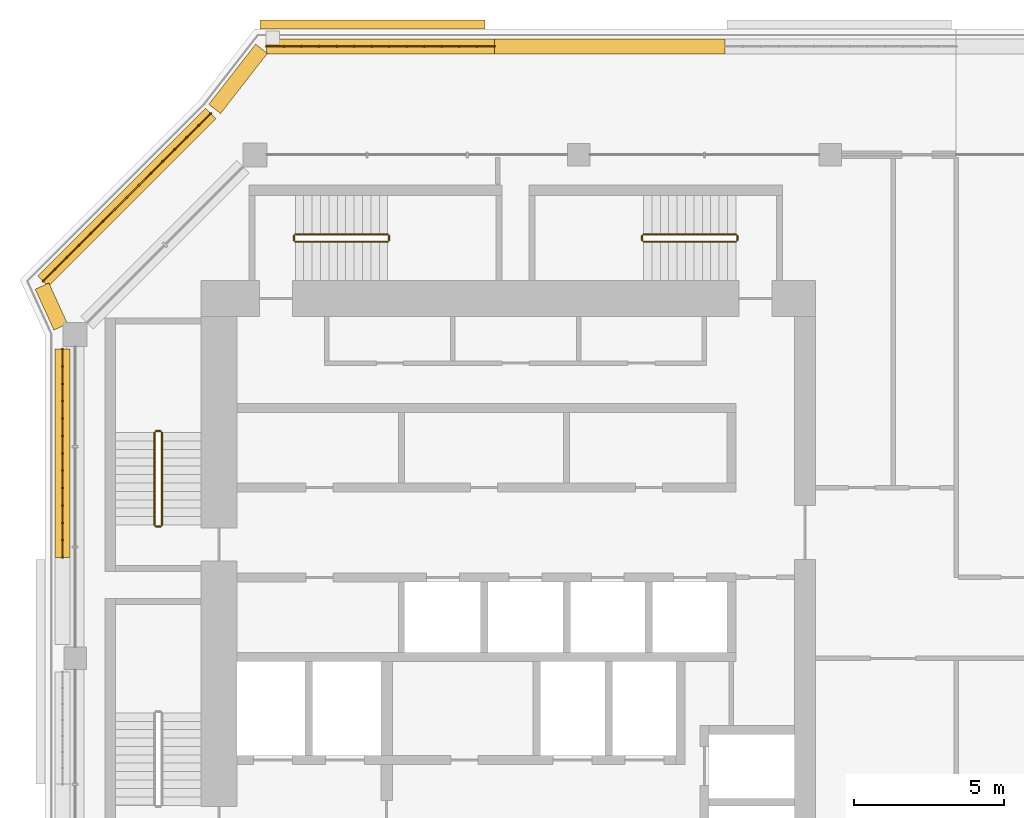
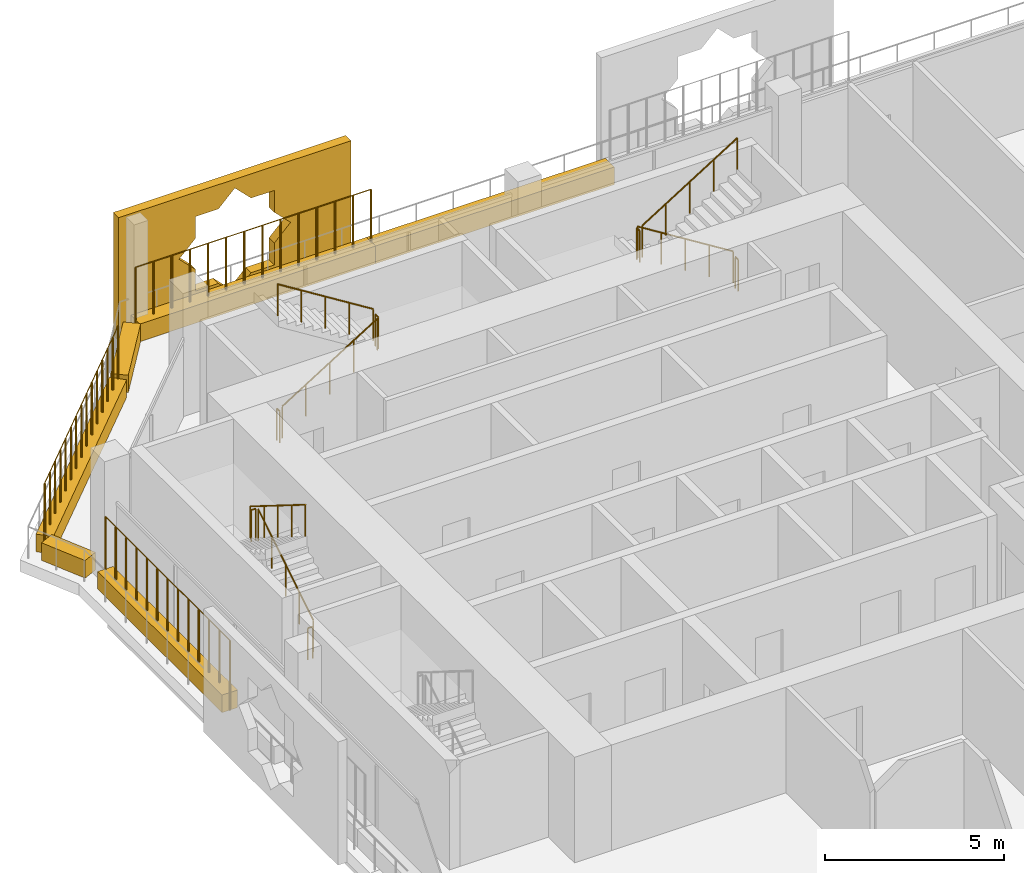
# One storey, part 20 of 22: 15 railings, 7 coverings.
"""IFC4 building model written with IfcOpenShell, lengths in metres."""

from ifc_helpers import new_model, si_unit, direction, frame, origin, origin_2d, place, context, subcontext, project, spatial, polyline, rectangle, circle, outline, extrude, material, material_profile, profile_set, type_object, element, save


model = new_model("IFC4")

# Units and contexts
model_context = context("Model", 3, precision=1e-05, world=origin(), true_north=direction((0.0, 1.0)))
body_context = subcontext(model_context, "Body", "Model", "MODEL_VIEW")
ifc_project = project(units=[si_unit("LENGTHUNIT", "METRE"), si_unit("AREAUNIT", "SQUARE_METRE"), si_unit("VOLUMEUNIT", "CUBIC_METRE"), si_unit("PLANEANGLEUNIT", "RADIAN"), si_unit("MASSUNIT", "GRAM", prefix="KILO")], contexts=[model_context])

# Site, building, storey
site_placement = place(None, origin())
site = spatial("IfcSite", under=ifc_project, at=site_placement, CompositionType="ELEMENT")
building_placement = place(site_placement, origin())
building = spatial("IfcBuilding", under=site, at=building_placement, Name="Kawkab Arch Medical Tower", CompositionType="ELEMENT")
storey_placement = place(building_placement, frame((0.0, 0.0, 294.39990234375)))
storey = spatial("IfcBuildingStorey", under=building, at=storey_placement, Name="L68", CompositionType="ELEMENT", Elevation=294.39990234375)

# Coverings
ifc_material_1 = material(Name="Bronze anodised aluminium mashrabiya panel, eight-point star pattern", Category="aluminium")
ifc_material_profile_1 = material_profile(ifc_material_1, outline(polyline([(-3.75, -2.10009765625), (3.75, -2.10009765625), (3.75, 2.10009765625), (-3.75, 2.10009765625), (-3.75, -2.10009765625)]), holes=[polyline([(1.800048828125, 0.0), (1.272705078125, 0.527099609375), (1.272705078125, 1.272705078125), (0.527099609375, 1.272705078125), (0.0, 1.800048828125), (-0.527099609375, 1.272705078125), (-1.272705078125, 1.272705078125), (-1.272705078125, 0.527099609375), (-1.800048828125, 0.0), (-1.272705078125, -0.527099609375), (-1.272705078125, -1.272705078125), (-0.527099609375, -1.272705078125), (0.0, -1.800048828125), (0.527099609375, -1.272705078125), (1.272705078125, -1.272705078125), (1.272705078125, -0.527099609375), (1.800048828125, 0.0)])]), Name="Mashrabiya panel 7500x4200")
ifc_profile_set_1 = profile_set([ifc_material_profile_1], Name="Bronze anodised aluminium mashrabiya panel, eight-point star pattern")
covering_type_1 = type_object("IfcCoveringType", Name="Mashrabiya panel 7500 x 4200", PredefinedType="USERDEFINED", material=ifc_profile_set_1)
covering_1_placement = place(storey_placement, frame((9.924072265625, 4.199951171875, 1.7001953125), z_axis=(0.0, 1.0, 0.0), x_axis=(-1.0, 0.0, 0.0)))
element("IfcCovering", 1, at=covering_1_placement, inside=storey, type_object=covering_type_1, Name="Mashrabiya panel L68.LOG-01-01.3", ObjectType="SCREEN", PredefinedType="USERDEFINED", context=body_context, shape_type="SweptSolid", body=[
    extrude(outline(polyline([(-3.75, -2.10009765625), (3.75, -2.10009765625), (3.75, 2.10009765625), (-3.75, 2.10009765625), (-3.75, -2.10009765625)]), holes=[polyline([(1.800048828125, 0.0), (1.272705078125, 0.527099609375), (1.272705078125, 1.272705078125), (0.527099609375, 1.272705078125), (0.0, 1.800048828125), (-0.527099609375, 1.272705078125), (-1.272705078125, 1.272705078125), (-1.272705078125, 0.527099609375), (-1.800048828125, 0.0), (-1.272705078125, -0.527099609375), (-1.272705078125, -1.272705078125), (-0.527099609375, -1.272705078125), (0.0, -1.800048828125), (0.527099609375, -1.272705078125), (1.272705078125, -1.272705078125), (1.272705078125, -0.527099609375), (1.800048828125, 0.0)])]), origin(), (0.0, 0.0, 1.0), 0.300048828125),
])
ifc_material_2 = material(Name="Planting soil in a precast trough", Category="concrete")
ifc_material_profile_2 = material_profile(ifc_material_2, rectangle(XDim=0.5, YDim=0.60009765625, at=origin_2d()), Name="Trough 500x600")
ifc_profile_set_2 = profile_set([ifc_material_profile_2], Name="Planting soil in a precast trough")
covering_type_2 = type_object("IfcCoveringType", Name="Planter trough 500 x 600", PredefinedType="USERDEFINED", material=ifc_profile_set_2)
covering_2_placement = place(storey_placement, frame((-0.419921875, -13.43701171875, 0.300048828125), z_axis=(0.0, 1.0, 0.0), x_axis=(-1.0, 0.0, 0.0)))
element("IfcCovering", 2, at=covering_2_placement, inside=storey, type_object=covering_type_2, Name="Planter L68.LOG-01-01.9", ObjectType="PLANTER", PredefinedType="USERDEFINED", context=body_context, shape_type="SweptSolid", body=[
    extrude(rectangle(XDim=0.5, YDim=0.60009765625, at=origin_2d()), origin(), (0.0, 0.0, 1.0), 6.95703125),
])
covering_3_placement = place(storey_placement, frame((-0.47998046875, -5.741943359375, 0.300048828125), z_axis=(-0.415189748133, 0.909734836667, 0.0), x_axis=(-0.909734836667, -0.415189748133, 0.0)))
element("IfcCovering", 3, at=covering_3_placement, inside=storey, type_object=covering_type_2, Name="Planter L68.LOG-01-01.10", ObjectType="PLANTER", PredefinedType="USERDEFINED", context=body_context, shape_type="SweptSolid", body=[
    extrude(rectangle(XDim=0.5, YDim=0.60009765625, at=origin_2d()), origin(), (0.0, 0.0, 1.0), 1.498291015625),
])
covering_4_placement = place(storey_placement, frame((-1.072998046875, -4.217041015625, 0.300048828125), z_axis=(0.707106781187, 0.707106781187, 0.0), x_axis=(-0.707106781187, 0.707106781187, 0.0)))
element("IfcCovering", 4, at=covering_4_placement, inside=storey, type_object=covering_type_2, Name="Planter L68.LOG-01-01.11", ObjectType="PLANTER", PredefinedType="USERDEFINED", context=body_context, shape_type="SweptSolid", body=[
    extrude(rectangle(XDim=0.5, YDim=0.60009765625, at=origin_2d()), origin(), (0.0, 0.0, 1.0), 7.919677734375),
])
covering_5_placement = place(storey_placement, frame((4.658935546875, 1.531982421875, 0.300048828125), z_axis=(0.61404021143, 0.789274742246, 0.0), x_axis=(-0.789274742246, 0.61404021143, 0.0)))
element("IfcCovering", 5, at=covering_5_placement, inside=storey, type_object=covering_type_2, Name="Planter L68.LOG-01-01.12", ObjectType="PLANTER", PredefinedType="USERDEFINED", context=body_context, shape_type="SweptSolid", body=[
    extrude(rectangle(XDim=0.5, YDim=0.60009765625, at=origin_2d()), origin(), (0.0, 0.0, 1.0), 2.54541015625),
])
covering_6_placement = place(storey_placement, frame((6.384033203125, 3.6201171875, 0.300048828125), z_axis=(1.0, 0.0, 0.0), x_axis=(0.0, 1.0, 0.0)))
element("IfcCovering", 6, at=covering_6_placement, inside=storey, type_object=covering_type_2, Name="Planter L68.LOG-01-01.13", ObjectType="PLANTER", PredefinedType="USERDEFINED", context=body_context, shape_type="SweptSolid", body=[
    extrude(rectangle(XDim=0.5, YDim=0.60009765625, at=origin_2d()), origin(), (0.0, 0.0, 1.0), 7.60498046875),
])
covering_7_placement = place(storey_placement, frame((13.989013671875, 3.6201171875, 0.300048828125), z_axis=(1.0, 0.0, 0.0), x_axis=(0.0, 1.0, 0.0)))
element("IfcCovering", 7, at=covering_7_placement, inside=storey, type_object=covering_type_2, Name="Planter L68.LOG-01-01.14", ObjectType="PLANTER", PredefinedType="USERDEFINED", context=body_context, shape_type="SweptSolid", body=[
    extrude(rectangle(XDim=0.5, YDim=0.60009765625, at=origin_2d()), origin(), (0.0, 0.0, 1.0), 7.7060546875),
])

# Railings
ifc_material_3 = material(Name="Bronze anodised aluminium trellis for climbing plants", Category="aluminium")
railing_type_1 = type_object("IfcRailingType", Name="Planting trellis 2400", PredefinedType="USERDEFINED", material=ifc_material_3)
railing_1_placement = place(storey_placement, frame((-0.419921875, -13.43701171875, 0.0)))
element("IfcRailing", 8, at=railing_1_placement, inside=storey, type_object=railing_type_1, Name="Planting trellis L68.LOG-01-01.9", ObjectType="TRELLIS", PredefinedType="USERDEFINED", context=body_context, shape_type="SweptSolid", body=[
    extrude(circle(Radius=0.01513671875, at=origin_2d()), frame((0.0, 0.0, 2.384765625), z_axis=(0.0, 1.0, 0.0), x_axis=(-1.0, 0.0, 0.0)), (0.0, 0.0, 1.0), 6.95703125),
    extrude(circle(Radius=0.030029296875, at=origin_2d()), origin(), (0.0, 0.0, 1.0), 2.369873046875),
    extrude(circle(Radius=0.030029296875, at=origin_2d()), frame((0.0, 0.579833984375, 0.0)), (0.0, 0.0, 1.0), 2.369873046875),
    extrude(circle(Radius=0.030029296875, at=origin_2d()), frame((0.0, 1.159423828125, 0.0)), (0.0, 0.0, 1.0), 2.369873046875),
    extrude(circle(Radius=0.030029296875, at=origin_2d()), frame((0.0, 1.7392578125, 0.0)), (0.0, 0.0, 1.0), 2.369873046875),
    extrude(circle(Radius=0.030029296875, at=origin_2d()), frame((0.0, 2.319091796875, 0.0)), (0.0, 0.0, 1.0), 2.369873046875),
    extrude(circle(Radius=0.030029296875, at=origin_2d()), frame((0.0, 2.898681640625, 0.0)), (0.0, 0.0, 1.0), 2.369873046875),
    extrude(circle(Radius=0.030029296875, at=origin_2d()), frame((0.0, 3.478515625, 0.0)), (0.0, 0.0, 1.0), 2.369873046875),
    extrude(circle(Radius=0.030029296875, at=origin_2d()), frame((0.0, 4.058349609375, 0.0)), (0.0, 0.0, 1.0), 2.369873046875),
    extrude(circle(Radius=0.030029296875, at=origin_2d()), frame((0.0, 4.637939453125, 0.0)), (0.0, 0.0, 1.0), 2.369873046875),
    extrude(circle(Radius=0.030029296875, at=origin_2d()), frame((0.0, 5.2177734375, 0.0)), (0.0, 0.0, 1.0), 2.369873046875),
    extrude(circle(Radius=0.030029296875, at=origin_2d()), frame((0.0, 5.797607421875, 0.0)), (0.0, 0.0, 1.0), 2.369873046875),
    extrude(circle(Radius=0.030029296875, at=origin_2d()), frame((0.0, 6.377197265625, 0.0)), (0.0, 0.0, 1.0), 2.369873046875),
    extrude(circle(Radius=0.030029296875, at=origin_2d()), frame((0.0, 6.95703125, 0.0)), (0.0, 0.0, 1.0), 2.369873046875),
])
railing_2_placement = place(storey_placement, frame((-1.072998046875, -4.217041015625, 0.0)))
element("IfcRailing", 9, at=railing_2_placement, inside=storey, type_object=railing_type_1, Name="Planting trellis L68.LOG-01-01.11", ObjectType="TRELLIS", PredefinedType="USERDEFINED", context=body_context, shape_type="SweptSolid", body=[
    extrude(circle(Radius=0.01513671875, at=origin_2d()), frame((0.0, 0.0, 2.384765625), z_axis=(0.707106781187, 0.707106781187, 0.0), x_axis=(-0.707106781187, 0.707106781187, 0.0)), (0.0, 0.0, 1.0), 7.919677734375),
    extrude(circle(Radius=0.030029296875, at=origin_2d()), origin(), (0.0, 0.0, 1.0), 2.369873046875),
    extrude(circle(Radius=0.030029296875, at=origin_2d()), frame((0.39990234375, 0.39990234375, 0.0)), (0.0, 0.0, 1.0), 2.369873046875),
    extrude(circle(Radius=0.030029296875, at=origin_2d()), frame((0.800048828125, 0.800048828125, 0.0)), (0.0, 0.0, 1.0), 2.369873046875),
    extrude(circle(Radius=0.030029296875, at=origin_2d()), frame((1.199951171875, 1.199951171875, 0.0)), (0.0, 0.0, 1.0), 2.369873046875),
    extrude(circle(Radius=0.030029296875, at=origin_2d()), frame((1.60009765625, 1.60009765625, 0.0)), (0.0, 0.0, 1.0), 2.369873046875),
    extrude(circle(Radius=0.030029296875, at=origin_2d()), frame((2.0, 2.0, 0.0)), (0.0, 0.0, 1.0), 2.369873046875),
    extrude(circle(Radius=0.030029296875, at=origin_2d()), frame((2.400146484375, 2.400146484375, 0.0)), (0.0, 0.0, 1.0), 2.369873046875),
    extrude(circle(Radius=0.030029296875, at=origin_2d()), frame((2.800048828125, 2.800048828125, 0.0)), (0.0, 0.0, 1.0), 2.369873046875),
    extrude(circle(Radius=0.030029296875, at=origin_2d()), frame((3.199951171875, 3.199951171875, 0.0)), (0.0, 0.0, 1.0), 2.369873046875),
    extrude(circle(Radius=0.030029296875, at=origin_2d()), frame((3.60009765625, 3.60009765625, 0.0)), (0.0, 0.0, 1.0), 2.369873046875),
    extrude(circle(Radius=0.030029296875, at=origin_2d()), frame((4.0, 4.0, 0.0)), (0.0, 0.0, 1.0), 2.369873046875),
    extrude(circle(Radius=0.030029296875, at=origin_2d()), frame((4.400146484375, 4.400146484375, 0.0)), (0.0, 0.0, 1.0), 2.369873046875),
    extrude(circle(Radius=0.030029296875, at=origin_2d()), frame((4.800048828125, 4.800048828125, 0.0)), (0.0, 0.0, 1.0), 2.369873046875),
    extrude(circle(Radius=0.030029296875, at=origin_2d()), frame((5.2001953125, 5.2001953125, 0.0)), (0.0, 0.0, 1.0), 2.369873046875),
    extrude(circle(Radius=0.030029296875, at=origin_2d()), frame((5.60009765625, 5.60009765625, 0.0)), (0.0, 0.0, 1.0), 2.369873046875),
])
railing_3_placement = place(storey_placement, frame((6.384033203125, 3.6201171875, 0.0)))
element("IfcRailing", 10, at=railing_3_placement, inside=storey, type_object=railing_type_1, Name="Planting trellis L68.LOG-01-01.13", ObjectType="TRELLIS", PredefinedType="USERDEFINED", context=body_context, shape_type="SweptSolid", body=[
    extrude(circle(Radius=0.01513671875, at=origin_2d()), frame((0.0, 0.0, 2.384765625), z_axis=(1.0, 0.0, 0.0), x_axis=(0.0, 1.0, 0.0)), (0.0, 0.0, 1.0), 7.60498046875),
    extrude(circle(Radius=0.030029296875, at=origin_2d()), origin(), (0.0, 0.0, 1.0), 2.369873046875),
    extrude(circle(Radius=0.030029296875, at=origin_2d()), frame((0.5849609375, 0.0, 0.0)), (0.0, 0.0, 1.0), 2.369873046875),
    extrude(circle(Radius=0.030029296875, at=origin_2d()), frame((1.169921875, 0.0, 0.0)), (0.0, 0.0, 1.0), 2.369873046875),
    extrude(circle(Radius=0.030029296875, at=origin_2d()), frame((1.7548828125, 0.0, 0.0)), (0.0, 0.0, 1.0), 2.369873046875),
    extrude(circle(Radius=0.030029296875, at=origin_2d()), frame((2.340087890625, 0.0, 0.0)), (0.0, 0.0, 1.0), 2.369873046875),
    extrude(circle(Radius=0.030029296875, at=origin_2d()), frame((2.925048828125, 0.0, 0.0)), (0.0, 0.0, 1.0), 2.369873046875),
    extrude(circle(Radius=0.030029296875, at=origin_2d()), frame((3.510009765625, 0.0, 0.0)), (0.0, 0.0, 1.0), 2.369873046875),
    extrude(circle(Radius=0.030029296875, at=origin_2d()), frame((4.094970703125, 0.0, 0.0)), (0.0, 0.0, 1.0), 2.369873046875),
    extrude(circle(Radius=0.030029296875, at=origin_2d()), frame((4.679931640625, 0.0, 0.0)), (0.0, 0.0, 1.0), 2.369873046875),
    extrude(circle(Radius=0.030029296875, at=origin_2d()), frame((5.264892578125, 0.0, 0.0)), (0.0, 0.0, 1.0), 2.369873046875),
    extrude(circle(Radius=0.030029296875, at=origin_2d()), frame((5.85009765625, 0.0, 0.0)), (0.0, 0.0, 1.0), 2.369873046875),
    extrude(circle(Radius=0.030029296875, at=origin_2d()), frame((6.43505859375, 0.0, 0.0)), (0.0, 0.0, 1.0), 2.369873046875),
    extrude(circle(Radius=0.030029296875, at=origin_2d()), frame((7.02001953125, 0.0, 0.0)), (0.0, 0.0, 1.0), 2.369873046875),
    extrude(circle(Radius=0.030029296875, at=origin_2d()), frame((7.60498046875, 0.0, 0.0)), (0.0, 0.0, 1.0), 2.369873046875),
])
ifc_material_4 = material(Name="Stainless steel", Category="steel")
railing_type_2 = type_object("IfcRailingType", Name="Stair guard 1100", PredefinedType="GUARDRAIL", material=ifc_material_4)
railing_4_placement = place(storey_placement, frame((2.89990234375, -12.35009765625, 0.175048828125)))
element("IfcRailing", 11, at=railing_4_placement, inside=storey, type_object=railing_type_2, Name="L68 ST1 stair guard 1", PredefinedType="GUARDRAIL", context=body_context, shape_type="SweptSolid", body=[
    extrude(circle(Radius=0.02392578125, at=origin_2d()), frame((0.0, 0.0, 1.076171875), z_axis=(0.0, 0.847998304005, 0.529998940003), x_axis=(-1.0, 0.0, 0.0)), (0.0, 0.0, 1.0), 3.632080078125),
    extrude(circle(Radius=0.02099609375, at=origin_2d()), origin(), (0.0, 0.0, 1.0), 1.052001953125),
    extrude(circle(Radius=0.02099609375, at=origin_2d()), frame((0.0, 0.77001953125, 0.481201171875)), (0.0, 0.0, 1.0), 1.052001953125),
    extrude(circle(Radius=0.02099609375, at=origin_2d()), frame((0.0, 1.5400390625, 0.96240234375)), (0.0, 0.0, 1.0), 1.052001953125),
    extrude(circle(Radius=0.02099609375, at=origin_2d()), frame((0.0, 2.31005859375, 1.44384765625)), (0.0, 0.0, 1.0), 1.052001953125),
    extrude(circle(Radius=0.02099609375, at=origin_2d()), frame((0.0, 3.080078125, 1.925048828125)), (0.0, 0.0, 1.0), 1.052001953125),
])
railing_5_placement = place(storey_placement, frame((2.85009765625, -9.219970703125, 2.10009765625)))
element("IfcRailing", 12, at=railing_5_placement, inside=storey, type_object=railing_type_2, Name="L68 ST1 stair guard 2", PredefinedType="GUARDRAIL", context=body_context, shape_type="SweptSolid", body=[
    extrude(circle(Radius=0.02392578125, at=origin_2d()), frame((0.0, 0.0, 1.076171875), z_axis=(-1.0, 0.0, 0.0), x_axis=(0.0, -1.0, 0.0)), (0.0, 0.0, 1.0), 0.150146484375),
    extrude(circle(Radius=0.02099609375, at=origin_2d()), origin(), (0.0, 0.0, 1.0), 1.052001953125),
    extrude(circle(Radius=0.02099609375, at=origin_2d()), frame((-0.150146484375, 0.0, 0.0)), (0.0, 0.0, 1.0), 1.052001953125),
])
railing_6_placement = place(storey_placement, frame((2.64990234375, -9.27001953125, 2.275146484375)))
element("IfcRailing", 13, at=railing_6_placement, inside=storey, type_object=railing_type_2, Name="L68 ST1 stair guard 3", PredefinedType="GUARDRAIL", context=body_context, shape_type="SweptSolid", body=[
    extrude(circle(Radius=0.02392578125, at=origin_2d()), frame((0.0, 0.0, 1.076171875), z_axis=(0.0, -0.847998304005, 0.529998940003), x_axis=(1.0, 0.0, 0.0)), (0.0, 0.0, 1.0), 3.632080078125),
    extrude(circle(Radius=0.02099609375, at=origin_2d()), origin(), (0.0, 0.0, 1.0), 1.052001953125),
    extrude(circle(Radius=0.02099609375, at=origin_2d()), frame((0.0, -0.77001953125, 0.481201171875)), (0.0, 0.0, 1.0), 1.052001953125),
    extrude(circle(Radius=0.02099609375, at=origin_2d()), frame((0.0, -1.5400390625, 0.96240234375)), (0.0, 0.0, 1.0), 1.052001953125),
    extrude(circle(Radius=0.02099609375, at=origin_2d()), frame((0.0, -2.31005859375, 1.44384765625)), (0.0, 0.0, 1.0), 1.052001953125),
    extrude(circle(Radius=0.02099609375, at=origin_2d()), frame((0.0, -3.080078125, 1.925048828125)), (0.0, 0.0, 1.0), 1.052001953125),
])
railing_7_placement = place(storey_placement, frame((2.85009765625, -12.39990234375, 0.0)))
element("IfcRailing", 14, at=railing_7_placement, inside=storey, type_object=railing_type_2, Name="L68 ST1 stair guard 4", PredefinedType="GUARDRAIL", context=body_context, shape_type="SweptSolid", body=[
    extrude(circle(Radius=0.02392578125, at=origin_2d()), frame((0.0, 0.0, 1.076171875), z_axis=(-1.0, 0.0, 0.0), x_axis=(0.0, -1.0, 0.0)), (0.0, 0.0, 1.0), 0.150146484375),
    extrude(circle(Radius=0.02099609375, at=origin_2d()), origin(), (0.0, 0.0, 1.0), 1.052001953125),
    extrude(circle(Radius=0.02099609375, at=origin_2d()), frame((-0.150146484375, 0.0, 0.0)), (0.0, 0.0, 1.0), 1.052001953125),
])
railing_8_placement = place(storey_placement, frame((7.35009765625, -2.89990234375, 0.175048828125)))
element("IfcRailing", 15, at=railing_8_placement, inside=storey, type_object=railing_type_2, Name="L68 ST3 stair guard 1", PredefinedType="GUARDRAIL", context=body_context, shape_type="SweptSolid", body=[
    extrude(circle(Radius=0.02392578125, at=origin_2d()), frame((0.0, 0.0, 1.076171875), z_axis=(0.847979421464, 0.0, 0.530029150871), x_axis=(0.0, 1.0, 0.0)), (0.0, 0.0, 1.0), 3.632080078125),
    extrude(circle(Radius=0.02099609375, at=origin_2d()), origin(), (0.0, 0.0, 1.0), 1.052001953125),
    extrude(circle(Radius=0.02099609375, at=origin_2d()), frame((0.77001953125, 0.0, 0.481201171875)), (0.0, 0.0, 1.0), 1.052001953125),
    extrude(circle(Radius=0.02099609375, at=origin_2d()), frame((1.5400390625, 0.0, 0.96240234375)), (0.0, 0.0, 1.0), 1.052001953125),
    extrude(circle(Radius=0.02099609375, at=origin_2d()), frame((2.309814453125, 0.0, 1.44384765625)), (0.0, 0.0, 1.0), 1.052001953125),
    extrude(circle(Radius=0.02099609375, at=origin_2d()), frame((3.079833984375, 0.0, 1.925048828125)), (0.0, 0.0, 1.0), 1.052001953125),
])
railing_9_placement = place(storey_placement, frame((10.47998046875, -2.85009765625, 2.10009765625)))
element("IfcRailing", 16, at=railing_9_placement, inside=storey, type_object=railing_type_2, Name="L68 ST3 stair guard 2", PredefinedType="GUARDRAIL", context=body_context, shape_type="SweptSolid", body=[
    extrude(circle(Radius=0.02392578125, at=origin_2d()), frame((0.0, 0.0, 1.076171875), z_axis=(0.0, 1.0, 0.0), x_axis=(-1.0, 0.0, 0.0)), (0.0, 0.0, 1.0), 0.150146484375),
    extrude(circle(Radius=0.02099609375, at=origin_2d()), origin(), (0.0, 0.0, 1.0), 1.052001953125),
    extrude(circle(Radius=0.02099609375, at=origin_2d()), frame((0.0, 0.150146484375, 0.0)), (0.0, 0.0, 1.0), 1.052001953125),
])
railing_10_placement = place(storey_placement, frame((10.429931640625, -2.64990234375, 2.275146484375)))
element("IfcRailing", 17, at=railing_10_placement, inside=storey, type_object=railing_type_2, Name="L68 ST3 stair guard 3", PredefinedType="GUARDRAIL", context=body_context, shape_type="SweptSolid", body=[
    extrude(circle(Radius=0.02392578125, at=origin_2d()), frame((0.0, 0.0, 1.076171875), z_axis=(-0.847979421464, 0.0, 0.530029150871), x_axis=(0.0, -1.0, 0.0)), (0.0, 0.0, 1.0), 3.632080078125),
    extrude(circle(Radius=0.02099609375, at=origin_2d()), origin(), (0.0, 0.0, 1.0), 1.052001953125),
    extrude(circle(Radius=0.02099609375, at=origin_2d()), frame((-0.77001953125, 0.0, 0.481201171875)), (0.0, 0.0, 1.0), 1.052001953125),
    extrude(circle(Radius=0.02099609375, at=origin_2d()), frame((-1.5400390625, 0.0, 0.96240234375)), (0.0, 0.0, 1.0), 1.052001953125),
    extrude(circle(Radius=0.02099609375, at=origin_2d()), frame((-2.309814453125, 0.0, 1.44384765625)), (0.0, 0.0, 1.0), 1.052001953125),
    extrude(circle(Radius=0.02099609375, at=origin_2d()), frame((-3.079833984375, 0.0, 1.925048828125)), (0.0, 0.0, 1.0), 1.052001953125),
])
railing_11_placement = place(storey_placement, frame((7.300048828125, -2.85009765625, 0.0)))
element("IfcRailing", 18, at=railing_11_placement, inside=storey, type_object=railing_type_2, Name="L68 ST3 stair guard 4", PredefinedType="GUARDRAIL", context=body_context, shape_type="SweptSolid", body=[
    extrude(circle(Radius=0.02392578125, at=origin_2d()), frame((0.0, 0.0, 1.076171875), z_axis=(0.0, 1.0, 0.0), x_axis=(-1.0, 0.0, 0.0)), (0.0, 0.0, 1.0), 0.150146484375),
    extrude(circle(Radius=0.02099609375, at=origin_2d()), origin(), (0.0, 0.0, 1.0), 1.052001953125),
    extrude(circle(Radius=0.02099609375, at=origin_2d()), frame((0.0, 0.150146484375, 0.0)), (0.0, 0.0, 1.0), 1.052001953125),
])
railing_12_placement = place(storey_placement, frame((22.050048828125, -2.64990234375, 0.175048828125)))
element("IfcRailing", 19, at=railing_12_placement, inside=storey, type_object=railing_type_2, Name="L68 ST4 stair guard 1", PredefinedType="GUARDRAIL", context=body_context, shape_type="SweptSolid", body=[
    extrude(circle(Radius=0.02392578125, at=origin_2d()), frame((0.0, 0.0, 1.076171875), z_axis=(-0.847998304005, 0.0, 0.529998940003), x_axis=(0.0, -1.0, 0.0)), (0.0, 0.0, 1.0), 3.632080078125),
    extrude(circle(Radius=0.02099609375, at=origin_2d()), origin(), (0.0, 0.0, 1.0), 1.052001953125),
    extrude(circle(Radius=0.02099609375, at=origin_2d()), frame((-0.77001953125, 0.0, 0.481201171875)), (0.0, 0.0, 1.0), 1.052001953125),
    extrude(circle(Radius=0.02099609375, at=origin_2d()), frame((-1.5400390625, 0.0, 0.96240234375)), (0.0, 0.0, 1.0), 1.052001953125),
    extrude(circle(Radius=0.02099609375, at=origin_2d()), frame((-2.31005859375, 0.0, 1.44384765625)), (0.0, 0.0, 1.0), 1.052001953125),
    extrude(circle(Radius=0.02099609375, at=origin_2d()), frame((-3.080078125, 0.0, 1.925048828125)), (0.0, 0.0, 1.0), 1.052001953125),
])
railing_13_placement = place(storey_placement, frame((18.919921875, -2.699951171875, 2.10009765625)))
element("IfcRailing", 20, at=railing_13_placement, inside=storey, type_object=railing_type_2, Name="L68 ST4 stair guard 2", PredefinedType="GUARDRAIL", context=body_context, shape_type="SweptSolid", body=[
    extrude(circle(Radius=0.02392578125, at=origin_2d()), frame((0.0, 0.0, 1.076171875), z_axis=(0.0, -1.0, 0.0), x_axis=(1.0, 0.0, 0.0)), (0.0, 0.0, 1.0), 0.150146484375),
    extrude(circle(Radius=0.02099609375, at=origin_2d()), origin(), (0.0, 0.0, 1.0), 1.052001953125),
    extrude(circle(Radius=0.02099609375, at=origin_2d()), frame((0.0, -0.150146484375, 0.0)), (0.0, 0.0, 1.0), 1.052001953125),
])
railing_14_placement = place(storey_placement, frame((18.969970703125, -2.89990234375, 2.275146484375)))
element("IfcRailing", 21, at=railing_14_placement, inside=storey, type_object=railing_type_2, Name="L68 ST4 stair guard 3", PredefinedType="GUARDRAIL", context=body_context, shape_type="SweptSolid", body=[
    extrude(circle(Radius=0.02392578125, at=origin_2d()), frame((0.0, 0.0, 1.076171875), z_axis=(0.847998304005, 0.0, 0.529998940003), x_axis=(0.0, 1.0, 0.0)), (0.0, 0.0, 1.0), 3.632080078125),
    extrude(circle(Radius=0.02099609375, at=origin_2d()), origin(), (0.0, 0.0, 1.0), 1.052001953125),
    extrude(circle(Radius=0.02099609375, at=origin_2d()), frame((0.77001953125, 0.0, 0.481201171875)), (0.0, 0.0, 1.0), 1.052001953125),
    extrude(circle(Radius=0.02099609375, at=origin_2d()), frame((1.5400390625, 0.0, 0.96240234375)), (0.0, 0.0, 1.0), 1.052001953125),
    extrude(circle(Radius=0.02099609375, at=origin_2d()), frame((2.31005859375, 0.0, 1.44384765625)), (0.0, 0.0, 1.0), 1.052001953125),
    extrude(circle(Radius=0.02099609375, at=origin_2d()), frame((3.080078125, 0.0, 1.925048828125)), (0.0, 0.0, 1.0), 1.052001953125),
])
railing_15_placement = place(storey_placement, frame((22.10009765625, -2.699951171875, 0.0)))
element("IfcRailing", 22, at=railing_15_placement, inside=storey, type_object=railing_type_2, Name="L68 ST4 stair guard 4", PredefinedType="GUARDRAIL", context=body_context, shape_type="SweptSolid", body=[
    extrude(circle(Radius=0.02392578125, at=origin_2d()), frame((0.0, 0.0, 1.076171875), z_axis=(0.0, -1.0, 0.0), x_axis=(1.0, 0.0, 0.0)), (0.0, 0.0, 1.0), 0.150146484375),
    extrude(circle(Radius=0.02099609375, at=origin_2d()), origin(), (0.0, 0.0, 1.0), 1.052001953125),
    extrude(circle(Radius=0.02099609375, at=origin_2d()), frame((0.0, -0.150146484375, 0.0)), (0.0, 0.0, 1.0), 1.052001953125),
])

save(model, "model.ifc")
